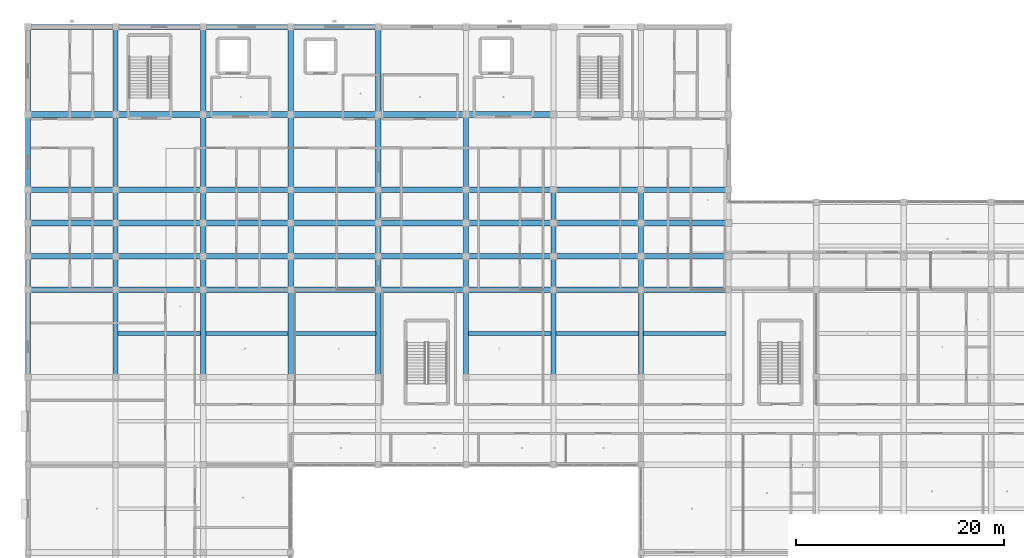
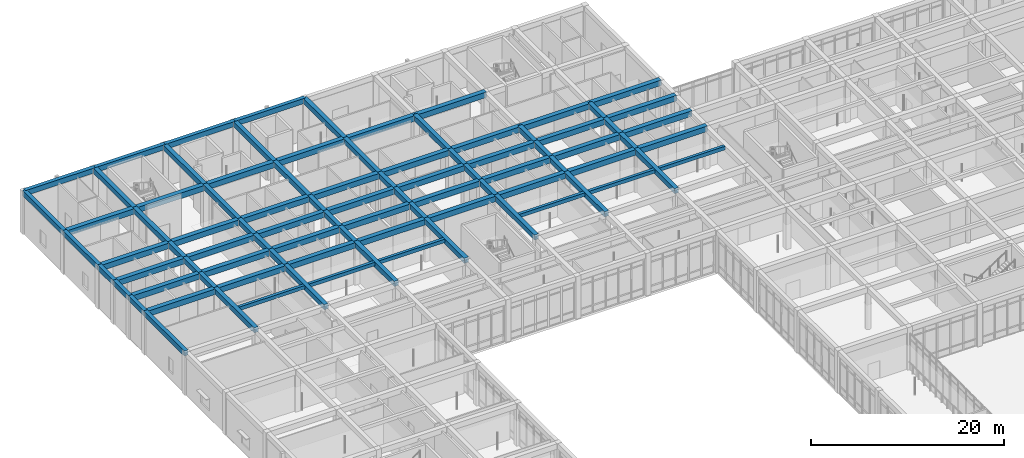
# One storey, part 36 of 157: 91 beams.
"""IFC4 building model written with IfcOpenShell, lengths in metres."""

from ifc_helpers import new_model, si_unit, direction, frame, origin, origin_2d, place, context, subcontext, project, spatial, rectangle, extrude, material, material_profile, profile_set, type_object, element, save


model = new_model("IFC4")

# Units and contexts
model_context = context("Model", 3, precision=1e-05, world=origin(), true_north=direction((0.0, 1.0)))
body_context = subcontext(model_context, "Body", "Model", "MODEL_VIEW")
ifc_project = project(units=[si_unit("LENGTHUNIT", "METRE"), si_unit("AREAUNIT", "SQUARE_METRE"), si_unit("VOLUMEUNIT", "CUBIC_METRE"), si_unit("PLANEANGLEUNIT", "RADIAN"), si_unit("MASSUNIT", "GRAM", prefix="KILO")], contexts=[model_context])

# Site, building, storey
site_placement = place(None, origin())
site = spatial("IfcSite", under=ifc_project, at=site_placement, CompositionType="ELEMENT")
building_placement = place(site_placement, origin())
building = spatial("IfcBuilding", under=site, at=building_placement, Name="Varncliffe General Hospital", CompositionType="ELEMENT")
storey_placement = place(building_placement, frame((0.0, 0.0, 5.39990234375)))
storey = spatial("IfcBuildingStorey", under=building, at=storey_placement, Name="L01", CompositionType="ELEMENT", Elevation=5.39990234375)

# Beams
ifc_material = material(Name="Concrete C35/45 (CSA A23.1 35 MPa)", Category="concrete")
ifc_material_profile_1 = material_profile(ifc_material, rectangle(XDim=0.5, YDim=0.64990234375, at=origin_2d()), Name="RC 500x650")
ifc_profile_set_1 = profile_set([ifc_material_profile_1], Name="Concrete C35/45 (CSA A23.1 35 MPa)")
beam_type_1 = type_object("IfcBeamType", Name="Beam B29 (Int RC 500x650)", PredefinedType="BEAM", material=ifc_profile_set_1)
beam_1_placement = place(storey_placement, frame((8.39990234375, 91.199951171875, 5.0751953125), z_axis=(0.0, 1.0, 0.0), x_axis=(-1.0, 0.0, 0.0)))
element("IfcBeam", 1, at=beam_1_placement, inside=storey, type_object=beam_type_1, Name="L01 Primary Beam B29-286", PredefinedType="BEAM", context=body_context, shape_type="SweptSolid", body=[
    extrude(rectangle(XDim=0.5, YDim=0.64990234375, at=origin_2d()), origin(), (0.0, 0.0, 1.0), 8.400146484375),
])
for number, where, z_axis, x_axis, name in (
    (2, (8.39990234375, 99.60009765625, 5.0751953125), (0.0, 1.0, 0.0), (-1.0, 0.0, 0.0), "L01 Primary Beam B29-287"),
    (3, (8.39990234375, 102.800048828125, 5.0751953125), (0.0, 1.0, 0.0), (-1.0, 0.0, 0.0), "L01 Primary Beam B29-288"),
    (4, (8.39990234375, 106.0, 5.0751953125), (0.0, 1.0, 0.0), (-1.0, 0.0, 0.0), "L01 Primary Beam B29-289"),
):
    element("IfcBeam", number, at=place(storey_placement, frame(where, z_axis=z_axis, x_axis=x_axis)), inside=storey, type_object=beam_type_1, Name=name, PredefinedType="BEAM", context=body_context, shape_type="SweptSolid", body=[
        extrude(rectangle(XDim=0.5, YDim=0.64990234375, at=origin_2d()), origin(), (0.0, 0.0, 1.0), 3.199951171875),
    ])
beam_2_placement = place(storey_placement, frame((8.39990234375, 109.199951171875, 5.0751953125), z_axis=(0.0, 1.0, 0.0), x_axis=(-1.0, 0.0, 0.0)))
element("IfcBeam", 5, at=beam_2_placement, inside=storey, type_object=beam_type_1, Name="L01 Primary Beam B29-290", PredefinedType="BEAM", context=body_context, shape_type="SweptSolid", body=[
    extrude(rectangle(XDim=0.5, YDim=0.64990234375, at=origin_2d()), origin(), (0.0, 0.0, 1.0), 7.199951171875),
])
for number, where, z_axis, x_axis, name in (
    (6, (8.39990234375, 116.39990234375, 5.0751953125), (0.0, 1.0, 0.0), (-1.0, 0.0, 0.0), "L01 Primary Beam B29-291"),
    (7, (16.800048828125, 91.199951171875, 5.0751953125), (0.0, 1.0, 0.0), (-1.0, 0.0, 0.0), "L01 Primary Beam B29-303"),
):
    element("IfcBeam", number, at=place(storey_placement, frame(where, z_axis=z_axis, x_axis=x_axis)), inside=storey, type_object=beam_type_1, Name=name, PredefinedType="BEAM", context=body_context, shape_type="SweptSolid", body=[
        extrude(rectangle(XDim=0.5, YDim=0.64990234375, at=origin_2d()), origin(), (0.0, 0.0, 1.0), 8.400146484375),
    ])
for number, where, z_axis, x_axis, name in (
    (8, (16.800048828125, 99.60009765625, 5.0751953125), (0.0, 1.0, 0.0), (-1.0, 0.0, 0.0), "L01 Primary Beam B29-304"),
    (9, (16.800048828125, 102.800048828125, 5.0751953125), (0.0, 1.0, 0.0), (-1.0, 0.0, 0.0), "L01 Primary Beam B29-305"),
    (10, (16.800048828125, 106.0, 5.0751953125), (0.0, 1.0, 0.0), (-1.0, 0.0, 0.0), "L01 Primary Beam B29-306"),
):
    element("IfcBeam", number, at=place(storey_placement, frame(where, z_axis=z_axis, x_axis=x_axis)), inside=storey, type_object=beam_type_1, Name=name, PredefinedType="BEAM", context=body_context, shape_type="SweptSolid", body=[
        extrude(rectangle(XDim=0.5, YDim=0.64990234375, at=origin_2d()), origin(), (0.0, 0.0, 1.0), 3.199951171875),
    ])
beam_3_placement = place(storey_placement, frame((16.800048828125, 109.199951171875, 5.0751953125), z_axis=(0.0, 1.0, 0.0), x_axis=(-1.0, 0.0, 0.0)))
element("IfcBeam", 11, at=beam_3_placement, inside=storey, type_object=beam_type_1, Name="L01 Primary Beam B29-307", PredefinedType="BEAM", context=body_context, shape_type="SweptSolid", body=[
    extrude(rectangle(XDim=0.5, YDim=0.64990234375, at=origin_2d()), origin(), (0.0, 0.0, 1.0), 7.199951171875),
])
for number, where, z_axis, x_axis, name in (
    (12, (16.800048828125, 116.39990234375, 5.0751953125), (0.0, 1.0, 0.0), (-1.0, 0.0, 0.0), "L01 Primary Beam B29-308"),
    (13, (25.199951171875, 91.199951171875, 5.0751953125), (0.0, 1.0, 0.0), (-1.0, 0.0, 0.0), "L01 Primary Beam B29-320"),
):
    element("IfcBeam", number, at=place(storey_placement, frame(where, z_axis=z_axis, x_axis=x_axis)), inside=storey, type_object=beam_type_1, Name=name, PredefinedType="BEAM", context=body_context, shape_type="SweptSolid", body=[
        extrude(rectangle(XDim=0.5, YDim=0.64990234375, at=origin_2d()), origin(), (0.0, 0.0, 1.0), 8.400146484375),
    ])
for number, where, z_axis, x_axis, name in (
    (14, (25.199951171875, 99.60009765625, 5.0751953125), (0.0, 1.0, 0.0), (-1.0, 0.0, 0.0), "L01 Primary Beam B29-321"),
    (15, (25.199951171875, 102.800048828125, 5.0751953125), (0.0, 1.0, 0.0), (-1.0, 0.0, 0.0), "L01 Primary Beam B29-322"),
    (16, (25.199951171875, 106.0, 5.0751953125), (0.0, 1.0, 0.0), (-1.0, 0.0, 0.0), "L01 Primary Beam B29-323"),
):
    element("IfcBeam", number, at=place(storey_placement, frame(where, z_axis=z_axis, x_axis=x_axis)), inside=storey, type_object=beam_type_1, Name=name, PredefinedType="BEAM", context=body_context, shape_type="SweptSolid", body=[
        extrude(rectangle(XDim=0.5, YDim=0.64990234375, at=origin_2d()), origin(), (0.0, 0.0, 1.0), 3.199951171875),
    ])
beam_4_placement = place(storey_placement, frame((25.199951171875, 109.199951171875, 5.0751953125), z_axis=(0.0, 1.0, 0.0), x_axis=(-1.0, 0.0, 0.0)))
element("IfcBeam", 17, at=beam_4_placement, inside=storey, type_object=beam_type_1, Name="L01 Primary Beam B29-324", PredefinedType="BEAM", context=body_context, shape_type="SweptSolid", body=[
    extrude(rectangle(XDim=0.5, YDim=0.64990234375, at=origin_2d()), origin(), (0.0, 0.0, 1.0), 7.199951171875),
])
for number, where, z_axis, x_axis, name in (
    (18, (25.199951171875, 116.39990234375, 5.0751953125), (0.0, 1.0, 0.0), (-1.0, 0.0, 0.0), "L01 Primary Beam B29-325"),
    (19, (33.60009765625, 91.199951171875, 5.0751953125), (0.0, 1.0, 0.0), (-1.0, 0.0, 0.0), "L01 Primary Beam B29-329"),
):
    element("IfcBeam", number, at=place(storey_placement, frame(where, z_axis=z_axis, x_axis=x_axis)), inside=storey, type_object=beam_type_1, Name=name, PredefinedType="BEAM", context=body_context, shape_type="SweptSolid", body=[
        extrude(rectangle(XDim=0.5, YDim=0.64990234375, at=origin_2d()), origin(), (0.0, 0.0, 1.0), 8.400146484375),
    ])
for number, where, z_axis, x_axis, name in (
    (20, (33.60009765625, 99.60009765625, 5.0751953125), (0.0, 1.0, 0.0), (-1.0, 0.0, 0.0), "L01 Primary Beam B29-330"),
    (21, (33.60009765625, 102.800048828125, 5.0751953125), (0.0, 1.0, 0.0), (-1.0, 0.0, 0.0), "L01 Primary Beam B29-331"),
    (22, (33.60009765625, 106.0, 5.0751953125), (0.0, 1.0, 0.0), (-1.0, 0.0, 0.0), "L01 Primary Beam B29-332"),
):
    element("IfcBeam", number, at=place(storey_placement, frame(where, z_axis=z_axis, x_axis=x_axis)), inside=storey, type_object=beam_type_1, Name=name, PredefinedType="BEAM", context=body_context, shape_type="SweptSolid", body=[
        extrude(rectangle(XDim=0.5, YDim=0.64990234375, at=origin_2d()), origin(), (0.0, 0.0, 1.0), 3.199951171875),
    ])
beam_5_placement = place(storey_placement, frame((33.60009765625, 109.199951171875, 5.0751953125), z_axis=(0.0, 1.0, 0.0), x_axis=(-1.0, 0.0, 0.0)))
element("IfcBeam", 23, at=beam_5_placement, inside=storey, type_object=beam_type_1, Name="L01 Primary Beam B29-333", PredefinedType="BEAM", context=body_context, shape_type="SweptSolid", body=[
    extrude(rectangle(XDim=0.5, YDim=0.64990234375, at=origin_2d()), origin(), (0.0, 0.0, 1.0), 7.199951171875),
])
for number, where, z_axis, x_axis, name in (
    (24, (33.60009765625, 116.39990234375, 5.0751953125), (0.0, 1.0, 0.0), (-1.0, 0.0, 0.0), "L01 Primary Beam B29-334"),
    (25, (42.0, 91.199951171875, 5.0751953125), (0.0, 1.0, 0.0), (-1.0, 0.0, 0.0), "L01 Primary Beam B29-338"),
):
    element("IfcBeam", number, at=place(storey_placement, frame(where, z_axis=z_axis, x_axis=x_axis)), inside=storey, type_object=beam_type_1, Name=name, PredefinedType="BEAM", context=body_context, shape_type="SweptSolid", body=[
        extrude(rectangle(XDim=0.5, YDim=0.64990234375, at=origin_2d()), origin(), (0.0, 0.0, 1.0), 8.400146484375),
    ])
for number, where, z_axis, x_axis, name in (
    (26, (42.0, 99.60009765625, 5.0751953125), (0.0, 1.0, 0.0), (-1.0, 0.0, 0.0), "L01 Primary Beam B29-339"),
    (27, (42.0, 102.800048828125, 5.0751953125), (0.0, 1.0, 0.0), (-1.0, 0.0, 0.0), "L01 Primary Beam B29-340"),
    (28, (42.0, 106.0, 5.0751953125), (0.0, 1.0, 0.0), (-1.0, 0.0, 0.0), "L01 Primary Beam B29-341"),
):
    element("IfcBeam", number, at=place(storey_placement, frame(where, z_axis=z_axis, x_axis=x_axis)), inside=storey, type_object=beam_type_1, Name=name, PredefinedType="BEAM", context=body_context, shape_type="SweptSolid", body=[
        extrude(rectangle(XDim=0.5, YDim=0.64990234375, at=origin_2d()), origin(), (0.0, 0.0, 1.0), 3.199951171875),
    ])
beam_6_placement = place(storey_placement, frame((42.0, 109.199951171875, 5.0751953125), z_axis=(0.0, 1.0, 0.0), x_axis=(-1.0, 0.0, 0.0)))
element("IfcBeam", 29, at=beam_6_placement, inside=storey, type_object=beam_type_1, Name="L01 Primary Beam B29-342", PredefinedType="BEAM", context=body_context, shape_type="SweptSolid", body=[
    extrude(rectangle(XDim=0.5, YDim=0.64990234375, at=origin_2d()), origin(), (0.0, 0.0, 1.0), 7.199951171875),
])
beam_7_placement = place(storey_placement, frame((50.39990234375, 91.199951171875, 5.0751953125), z_axis=(0.0, 1.0, 0.0), x_axis=(-1.0, 0.0, 0.0)))
element("IfcBeam", 30, at=beam_7_placement, inside=storey, type_object=beam_type_1, Name="L01 Primary Beam B29-347", PredefinedType="BEAM", context=body_context, shape_type="SweptSolid", body=[
    extrude(rectangle(XDim=0.5, YDim=0.64990234375, at=origin_2d()), origin(), (0.0, 0.0, 1.0), 8.400146484375),
])
for number, where, z_axis, x_axis, name in (
    (31, (50.39990234375, 99.60009765625, 5.0751953125), (0.0, 1.0, 0.0), (-1.0, 0.0, 0.0), "L01 Primary Beam B29-348"),
    (32, (50.39990234375, 102.800048828125, 5.0751953125), (0.0, 1.0, 0.0), (-1.0, 0.0, 0.0), "L01 Primary Beam B29-349"),
    (33, (50.39990234375, 106.0, 5.0751953125), (0.0, 1.0, 0.0), (-1.0, 0.0, 0.0), "L01 Primary Beam B29-350"),
):
    element("IfcBeam", number, at=place(storey_placement, frame(where, z_axis=z_axis, x_axis=x_axis)), inside=storey, type_object=beam_type_1, Name=name, PredefinedType="BEAM", context=body_context, shape_type="SweptSolid", body=[
        extrude(rectangle(XDim=0.5, YDim=0.64990234375, at=origin_2d()), origin(), (0.0, 0.0, 1.0), 3.199951171875),
    ])
beam_8_placement = place(storey_placement, frame((58.800048828125, 91.199951171875, 5.0751953125), z_axis=(0.0, 1.0, 0.0), x_axis=(-1.0, 0.0, 0.0)))
element("IfcBeam", 34, at=beam_8_placement, inside=storey, type_object=beam_type_1, Name="L01 Primary Beam B29-363", PredefinedType="BEAM", context=body_context, shape_type="SweptSolid", body=[
    extrude(rectangle(XDim=0.5, YDim=0.64990234375, at=origin_2d()), origin(), (0.0, 0.0, 1.0), 8.400146484375),
])
for number, where, z_axis, x_axis, name in (
    (35, (58.800048828125, 99.60009765625, 5.0751953125), (0.0, 1.0, 0.0), (-1.0, 0.0, 0.0), "L01 Primary Beam B29-364"),
    (36, (58.800048828125, 102.800048828125, 5.0751953125), (0.0, 1.0, 0.0), (-1.0, 0.0, 0.0), "L01 Primary Beam B29-365"),
    (37, (58.800048828125, 106.0, 5.0751953125), (0.0, 1.0, 0.0), (-1.0, 0.0, 0.0), "L01 Primary Beam B29-366"),
):
    element("IfcBeam", number, at=place(storey_placement, frame(where, z_axis=z_axis, x_axis=x_axis)), inside=storey, type_object=beam_type_1, Name=name, PredefinedType="BEAM", context=body_context, shape_type="SweptSolid", body=[
        extrude(rectangle(XDim=0.5, YDim=0.64990234375, at=origin_2d()), origin(), (0.0, 0.0, 1.0), 3.199951171875),
    ])
ifc_material_profile_2 = material_profile(ifc_material, rectangle(XDim=0.550048828125, YDim=0.699951171875, at=origin_2d()), Name="RC 550x700")
ifc_profile_set_2 = profile_set([ifc_material_profile_2], Name="Concrete C35/45 (CSA A23.1 35 MPa)")
beam_type_2 = type_object("IfcBeamType", Name="Beam B35 (Int RC 550x700)", PredefinedType="BEAM", material=ifc_profile_set_2)
beam_9_placement = place(storey_placement, frame((0.0, 99.60009765625, 5.050048828125), z_axis=(1.0, 0.0, 0.0), x_axis=(0.0, 1.0, 0.0)))
element("IfcBeam", 38, at=beam_9_placement, inside=storey, type_object=beam_type_2, Name="L01 Primary Beam B35-150", PredefinedType="BEAM", context=body_context, shape_type="SweptSolid", body=[
    extrude(rectangle(XDim=0.550048828125, YDim=0.699951171875, at=origin_2d()), origin(), (0.0, 0.0, 1.0), 8.39990234375),
])
beam_10_placement = place(storey_placement, frame((8.39990234375, 99.60009765625, 5.050048828125), z_axis=(1.0, 0.0, 0.0), x_axis=(0.0, 1.0, 0.0)))
element("IfcBeam", 39, at=beam_10_placement, inside=storey, type_object=beam_type_2, Name="L01 Primary Beam B35-151", PredefinedType="BEAM", context=body_context, shape_type="SweptSolid", body=[
    extrude(rectangle(XDim=0.550048828125, YDim=0.699951171875, at=origin_2d()), origin(), (0.0, 0.0, 1.0), 8.400146484375),
])
beam_11_placement = place(storey_placement, frame((16.800048828125, 99.60009765625, 5.050048828125), z_axis=(1.0, 0.0, 0.0), x_axis=(0.0, 1.0, 0.0)))
element("IfcBeam", 40, at=beam_11_placement, inside=storey, type_object=beam_type_2, Name="L01 Primary Beam B35-152", PredefinedType="BEAM", context=body_context, shape_type="SweptSolid", body=[
    extrude(rectangle(XDim=0.550048828125, YDim=0.699951171875, at=origin_2d()), origin(), (0.0, 0.0, 1.0), 8.39990234375),
])
beam_12_placement = place(storey_placement, frame((25.199951171875, 99.60009765625, 5.050048828125), z_axis=(1.0, 0.0, 0.0), x_axis=(0.0, 1.0, 0.0)))
element("IfcBeam", 41, at=beam_12_placement, inside=storey, type_object=beam_type_2, Name="L01 Primary Beam B35-153", PredefinedType="BEAM", context=body_context, shape_type="SweptSolid", body=[
    extrude(rectangle(XDim=0.550048828125, YDim=0.699951171875, at=origin_2d()), origin(), (0.0, 0.0, 1.0), 8.400146484375),
])
for number, where, z_axis, x_axis, name in (
    (42, (33.60009765625, 99.60009765625, 5.050048828125), (1.0, 0.0, 0.0), (0.0, 1.0, 0.0), "L01 Primary Beam B35-154"),
    (43, (42.0, 99.60009765625, 5.050048828125), (1.0, 0.0, 0.0), (0.0, 1.0, 0.0), "L01 Primary Beam B35-155"),
):
    element("IfcBeam", number, at=place(storey_placement, frame(where, z_axis=z_axis, x_axis=x_axis)), inside=storey, type_object=beam_type_2, Name=name, PredefinedType="BEAM", context=body_context, shape_type="SweptSolid", body=[
        extrude(rectangle(XDim=0.550048828125, YDim=0.699951171875, at=origin_2d()), origin(), (0.0, 0.0, 1.0), 8.39990234375),
    ])
beam_13_placement = place(storey_placement, frame((50.39990234375, 99.60009765625, 5.050048828125), z_axis=(1.0, 0.0, 0.0), x_axis=(0.0, 1.0, 0.0)))
element("IfcBeam", 44, at=beam_13_placement, inside=storey, type_object=beam_type_2, Name="L01 Primary Beam B35-156", PredefinedType="BEAM", context=body_context, shape_type="SweptSolid", body=[
    extrude(rectangle(XDim=0.550048828125, YDim=0.699951171875, at=origin_2d()), origin(), (0.0, 0.0, 1.0), 8.400146484375),
])
for number, where, z_axis, x_axis, name in (
    (45, (58.800048828125, 99.60009765625, 5.050048828125), (1.0, 0.0, 0.0), (0.0, 1.0, 0.0), "L01 Primary Beam B35-157"),
    (46, (0.0, 102.800048828125, 5.050048828125), (1.0, 0.0, 0.0), (0.0, 1.0, 0.0), "L01 Primary Beam B35-171"),
):
    element("IfcBeam", number, at=place(storey_placement, frame(where, z_axis=z_axis, x_axis=x_axis)), inside=storey, type_object=beam_type_2, Name=name, PredefinedType="BEAM", context=body_context, shape_type="SweptSolid", body=[
        extrude(rectangle(XDim=0.550048828125, YDim=0.699951171875, at=origin_2d()), origin(), (0.0, 0.0, 1.0), 8.39990234375),
    ])
beam_14_placement = place(storey_placement, frame((8.39990234375, 102.800048828125, 5.050048828125), z_axis=(1.0, 0.0, 0.0), x_axis=(0.0, 1.0, 0.0)))
element("IfcBeam", 47, at=beam_14_placement, inside=storey, type_object=beam_type_2, Name="L01 Primary Beam B35-172", PredefinedType="BEAM", context=body_context, shape_type="SweptSolid", body=[
    extrude(rectangle(XDim=0.550048828125, YDim=0.699951171875, at=origin_2d()), origin(), (0.0, 0.0, 1.0), 8.400146484375),
])
beam_15_placement = place(storey_placement, frame((16.800048828125, 102.800048828125, 5.050048828125), z_axis=(1.0, 0.0, 0.0), x_axis=(0.0, 1.0, 0.0)))
element("IfcBeam", 48, at=beam_15_placement, inside=storey, type_object=beam_type_2, Name="L01 Primary Beam B35-173", PredefinedType="BEAM", context=body_context, shape_type="SweptSolid", body=[
    extrude(rectangle(XDim=0.550048828125, YDim=0.699951171875, at=origin_2d()), origin(), (0.0, 0.0, 1.0), 8.39990234375),
])
beam_16_placement = place(storey_placement, frame((25.199951171875, 102.800048828125, 5.050048828125), z_axis=(1.0, 0.0, 0.0), x_axis=(0.0, 1.0, 0.0)))
element("IfcBeam", 49, at=beam_16_placement, inside=storey, type_object=beam_type_2, Name="L01 Primary Beam B35-174", PredefinedType="BEAM", context=body_context, shape_type="SweptSolid", body=[
    extrude(rectangle(XDim=0.550048828125, YDim=0.699951171875, at=origin_2d()), origin(), (0.0, 0.0, 1.0), 8.400146484375),
])
for number, where, z_axis, x_axis, name in (
    (50, (33.60009765625, 102.800048828125, 5.050048828125), (1.0, 0.0, 0.0), (0.0, 1.0, 0.0), "L01 Primary Beam B35-175"),
    (51, (42.0, 102.800048828125, 5.050048828125), (1.0, 0.0, 0.0), (0.0, 1.0, 0.0), "L01 Primary Beam B35-176"),
):
    element("IfcBeam", number, at=place(storey_placement, frame(where, z_axis=z_axis, x_axis=x_axis)), inside=storey, type_object=beam_type_2, Name=name, PredefinedType="BEAM", context=body_context, shape_type="SweptSolid", body=[
        extrude(rectangle(XDim=0.550048828125, YDim=0.699951171875, at=origin_2d()), origin(), (0.0, 0.0, 1.0), 8.39990234375),
    ])
beam_17_placement = place(storey_placement, frame((50.39990234375, 102.800048828125, 5.050048828125), z_axis=(1.0, 0.0, 0.0), x_axis=(0.0, 1.0, 0.0)))
element("IfcBeam", 52, at=beam_17_placement, inside=storey, type_object=beam_type_2, Name="L01 Primary Beam B35-177", PredefinedType="BEAM", context=body_context, shape_type="SweptSolid", body=[
    extrude(rectangle(XDim=0.550048828125, YDim=0.699951171875, at=origin_2d()), origin(), (0.0, 0.0, 1.0), 8.400146484375),
])
for number, where, z_axis, x_axis, name in (
    (53, (58.800048828125, 102.800048828125, 5.050048828125), (1.0, 0.0, 0.0), (0.0, 1.0, 0.0), "L01 Primary Beam B35-178"),
    (54, (0.0, 106.0, 5.050048828125), (1.0, 0.0, 0.0), (0.0, 1.0, 0.0), "L01 Primary Beam B35-192"),
):
    element("IfcBeam", number, at=place(storey_placement, frame(where, z_axis=z_axis, x_axis=x_axis)), inside=storey, type_object=beam_type_2, Name=name, PredefinedType="BEAM", context=body_context, shape_type="SweptSolid", body=[
        extrude(rectangle(XDim=0.550048828125, YDim=0.699951171875, at=origin_2d()), origin(), (0.0, 0.0, 1.0), 8.39990234375),
    ])
beam_18_placement = place(storey_placement, frame((8.39990234375, 106.0, 5.050048828125), z_axis=(1.0, 0.0, 0.0), x_axis=(0.0, 1.0, 0.0)))
element("IfcBeam", 55, at=beam_18_placement, inside=storey, type_object=beam_type_2, Name="L01 Primary Beam B35-193", PredefinedType="BEAM", context=body_context, shape_type="SweptSolid", body=[
    extrude(rectangle(XDim=0.550048828125, YDim=0.699951171875, at=origin_2d()), origin(), (0.0, 0.0, 1.0), 8.400146484375),
])
beam_19_placement = place(storey_placement, frame((16.800048828125, 106.0, 5.050048828125), z_axis=(1.0, 0.0, 0.0), x_axis=(0.0, 1.0, 0.0)))
element("IfcBeam", 56, at=beam_19_placement, inside=storey, type_object=beam_type_2, Name="L01 Primary Beam B35-194", PredefinedType="BEAM", context=body_context, shape_type="SweptSolid", body=[
    extrude(rectangle(XDim=0.550048828125, YDim=0.699951171875, at=origin_2d()), origin(), (0.0, 0.0, 1.0), 8.39990234375),
])
beam_20_placement = place(storey_placement, frame((25.199951171875, 106.0, 5.050048828125), z_axis=(1.0, 0.0, 0.0), x_axis=(0.0, 1.0, 0.0)))
element("IfcBeam", 57, at=beam_20_placement, inside=storey, type_object=beam_type_2, Name="L01 Primary Beam B35-195", PredefinedType="BEAM", context=body_context, shape_type="SweptSolid", body=[
    extrude(rectangle(XDim=0.550048828125, YDim=0.699951171875, at=origin_2d()), origin(), (0.0, 0.0, 1.0), 8.400146484375),
])
for number, where, z_axis, x_axis, name in (
    (58, (33.60009765625, 106.0, 5.050048828125), (1.0, 0.0, 0.0), (0.0, 1.0, 0.0), "L01 Primary Beam B35-196"),
    (59, (42.0, 106.0, 5.050048828125), (1.0, 0.0, 0.0), (0.0, 1.0, 0.0), "L01 Primary Beam B35-197"),
):
    element("IfcBeam", number, at=place(storey_placement, frame(where, z_axis=z_axis, x_axis=x_axis)), inside=storey, type_object=beam_type_2, Name=name, PredefinedType="BEAM", context=body_context, shape_type="SweptSolid", body=[
        extrude(rectangle(XDim=0.550048828125, YDim=0.699951171875, at=origin_2d()), origin(), (0.0, 0.0, 1.0), 8.39990234375),
    ])
beam_21_placement = place(storey_placement, frame((50.39990234375, 106.0, 5.050048828125), z_axis=(1.0, 0.0, 0.0), x_axis=(0.0, 1.0, 0.0)))
element("IfcBeam", 60, at=beam_21_placement, inside=storey, type_object=beam_type_2, Name="L01 Primary Beam B35-198", PredefinedType="BEAM", context=body_context, shape_type="SweptSolid", body=[
    extrude(rectangle(XDim=0.550048828125, YDim=0.699951171875, at=origin_2d()), origin(), (0.0, 0.0, 1.0), 8.400146484375),
])
for number, where, z_axis, x_axis, name in (
    (61, (58.800048828125, 106.0, 5.050048828125), (1.0, 0.0, 0.0), (0.0, 1.0, 0.0), "L01 Primary Beam B35-199"),
    (62, (0.0, 109.199951171875, 5.050048828125), (1.0, 0.0, 0.0), (0.0, 1.0, 0.0), "L01 Primary Beam B35-211"),
):
    element("IfcBeam", number, at=place(storey_placement, frame(where, z_axis=z_axis, x_axis=x_axis)), inside=storey, type_object=beam_type_2, Name=name, PredefinedType="BEAM", context=body_context, shape_type="SweptSolid", body=[
        extrude(rectangle(XDim=0.550048828125, YDim=0.699951171875, at=origin_2d()), origin(), (0.0, 0.0, 1.0), 8.39990234375),
    ])
beam_22_placement = place(storey_placement, frame((8.39990234375, 109.199951171875, 5.050048828125), z_axis=(1.0, 0.0, 0.0), x_axis=(0.0, 1.0, 0.0)))
element("IfcBeam", 63, at=beam_22_placement, inside=storey, type_object=beam_type_2, Name="L01 Primary Beam B35-212", PredefinedType="BEAM", context=body_context, shape_type="SweptSolid", body=[
    extrude(rectangle(XDim=0.550048828125, YDim=0.699951171875, at=origin_2d()), origin(), (0.0, 0.0, 1.0), 8.400146484375),
])
beam_23_placement = place(storey_placement, frame((16.800048828125, 109.199951171875, 5.050048828125), z_axis=(1.0, 0.0, 0.0), x_axis=(0.0, 1.0, 0.0)))
element("IfcBeam", 64, at=beam_23_placement, inside=storey, type_object=beam_type_2, Name="L01 Primary Beam B35-213", PredefinedType="BEAM", context=body_context, shape_type="SweptSolid", body=[
    extrude(rectangle(XDim=0.550048828125, YDim=0.699951171875, at=origin_2d()), origin(), (0.0, 0.0, 1.0), 8.39990234375),
])
beam_24_placement = place(storey_placement, frame((25.199951171875, 109.199951171875, 5.050048828125), z_axis=(1.0, 0.0, 0.0), x_axis=(0.0, 1.0, 0.0)))
element("IfcBeam", 65, at=beam_24_placement, inside=storey, type_object=beam_type_2, Name="L01 Primary Beam B35-214", PredefinedType="BEAM", context=body_context, shape_type="SweptSolid", body=[
    extrude(rectangle(XDim=0.550048828125, YDim=0.699951171875, at=origin_2d()), origin(), (0.0, 0.0, 1.0), 8.400146484375),
])
for number, where, z_axis, x_axis, name in (
    (66, (33.60009765625, 109.199951171875, 5.050048828125), (1.0, 0.0, 0.0), (0.0, 1.0, 0.0), "L01 Primary Beam B35-215"),
    (67, (42.0, 109.199951171875, 5.050048828125), (1.0, 0.0, 0.0), (0.0, 1.0, 0.0), "L01 Primary Beam B35-216"),
):
    element("IfcBeam", number, at=place(storey_placement, frame(where, z_axis=z_axis, x_axis=x_axis)), inside=storey, type_object=beam_type_2, Name=name, PredefinedType="BEAM", context=body_context, shape_type="SweptSolid", body=[
        extrude(rectangle(XDim=0.550048828125, YDim=0.699951171875, at=origin_2d()), origin(), (0.0, 0.0, 1.0), 8.39990234375),
    ])
beam_25_placement = place(storey_placement, frame((50.39990234375, 109.199951171875, 5.050048828125), z_axis=(1.0, 0.0, 0.0), x_axis=(0.0, 1.0, 0.0)))
element("IfcBeam", 68, at=beam_25_placement, inside=storey, type_object=beam_type_2, Name="L01 Primary Beam B35-217", PredefinedType="BEAM", context=body_context, shape_type="SweptSolid", body=[
    extrude(rectangle(XDim=0.550048828125, YDim=0.699951171875, at=origin_2d()), origin(), (0.0, 0.0, 1.0), 8.400146484375),
])
for number, where, z_axis, x_axis, name in (
    (69, (58.800048828125, 109.199951171875, 5.050048828125), (1.0, 0.0, 0.0), (0.0, 1.0, 0.0), "L01 Primary Beam B35-218"),
    (70, (0.0, 116.39990234375, 5.050048828125), (1.0, 0.0, 0.0), (0.0, 1.0, 0.0), "L01 Primary Beam B35-227"),
):
    element("IfcBeam", number, at=place(storey_placement, frame(where, z_axis=z_axis, x_axis=x_axis)), inside=storey, type_object=beam_type_2, Name=name, PredefinedType="BEAM", context=body_context, shape_type="SweptSolid", body=[
        extrude(rectangle(XDim=0.550048828125, YDim=0.699951171875, at=origin_2d()), origin(), (0.0, 0.0, 1.0), 8.39990234375),
    ])
beam_26_placement = place(storey_placement, frame((8.39990234375, 116.39990234375, 5.050048828125), z_axis=(1.0, 0.0, 0.0), x_axis=(0.0, 1.0, 0.0)))
element("IfcBeam", 71, at=beam_26_placement, inside=storey, type_object=beam_type_2, Name="L01 Primary Beam B35-228", PredefinedType="BEAM", context=body_context, shape_type="SweptSolid", body=[
    extrude(rectangle(XDim=0.550048828125, YDim=0.699951171875, at=origin_2d()), origin(), (0.0, 0.0, 1.0), 8.400146484375),
])
beam_27_placement = place(storey_placement, frame((16.800048828125, 116.39990234375, 5.050048828125), z_axis=(1.0, 0.0, 0.0), x_axis=(0.0, 1.0, 0.0)))
element("IfcBeam", 72, at=beam_27_placement, inside=storey, type_object=beam_type_2, Name="L01 Primary Beam B35-229", PredefinedType="BEAM", context=body_context, shape_type="SweptSolid", body=[
    extrude(rectangle(XDim=0.550048828125, YDim=0.699951171875, at=origin_2d()), origin(), (0.0, 0.0, 1.0), 8.39990234375),
])
beam_28_placement = place(storey_placement, frame((25.199951171875, 116.39990234375, 5.050048828125), z_axis=(1.0, 0.0, 0.0), x_axis=(0.0, 1.0, 0.0)))
element("IfcBeam", 73, at=beam_28_placement, inside=storey, type_object=beam_type_2, Name="L01 Primary Beam B35-230", PredefinedType="BEAM", context=body_context, shape_type="SweptSolid", body=[
    extrude(rectangle(XDim=0.550048828125, YDim=0.699951171875, at=origin_2d()), origin(), (0.0, 0.0, 1.0), 8.400146484375),
])
for number, where, z_axis, x_axis, name in (
    (74, (33.60009765625, 116.39990234375, 5.050048828125), (1.0, 0.0, 0.0), (0.0, 1.0, 0.0), "L01 Primary Beam B35-231"),
    (75, (42.0, 116.39990234375, 5.050048828125), (1.0, 0.0, 0.0), (0.0, 1.0, 0.0), "L01 Primary Beam B35-232"),
):
    element("IfcBeam", number, at=place(storey_placement, frame(where, z_axis=z_axis, x_axis=x_axis)), inside=storey, type_object=beam_type_2, Name=name, PredefinedType="BEAM", context=body_context, shape_type="SweptSolid", body=[
        extrude(rectangle(XDim=0.550048828125, YDim=0.699951171875, at=origin_2d()), origin(), (0.0, 0.0, 1.0), 8.39990234375),
    ])
ifc_material_profile_3 = material_profile(ifc_material, rectangle(XDim=0.35009765625, YDim=0.449951171875, at=origin_2d()), Name="RC 350x450")
ifc_profile_set_3 = profile_set([ifc_material_profile_3], Name="Concrete C35/45 (CSA A23.1 35 MPa)")
beam_type_3 = type_object("IfcBeamType", Name="Joist J55 (Int RC 350x450)", PredefinedType="JOIST", material=ifc_profile_set_3)
beam_29_placement = place(storey_placement, frame((8.64794921875, 95.39990234375, 5.175048828125), z_axis=(1.0, 0.0, 0.0), x_axis=(0.0, 1.0, 0.0)))
element("IfcBeam", 76, at=beam_29_placement, inside=storey, type_object=beam_type_3, Name="L01 Secondary Floor Rib J55-10", PredefinedType="JOIST", context=body_context, shape_type="SweptSolid", body=[
    extrude(rectangle(XDim=0.35009765625, YDim=0.449951171875, at=origin_2d()), origin(), (0.0, 0.0, 1.0), 7.904052734375),
])
beam_30_placement = place(storey_placement, frame((17.048095703125, 95.39990234375, 5.175048828125), z_axis=(1.0, 0.0, 0.0), x_axis=(0.0, 1.0, 0.0)))
element("IfcBeam", 77, at=beam_30_placement, inside=storey, type_object=beam_type_3, Name="L01 Secondary Floor Rib J55-14", PredefinedType="JOIST", context=body_context, shape_type="SweptSolid", body=[
    extrude(rectangle(XDim=0.35009765625, YDim=0.449951171875, at=origin_2d()), origin(), (0.0, 0.0, 1.0), 7.90380859375),
])
for number, where, z_axis, x_axis, name in (
    (78, (25.447998046875, 95.39990234375, 5.175048828125), (1.0, 0.0, 0.0), (0.0, 1.0, 0.0), "L01 Secondary Floor Rib J55-18"),
    (79, (42.248046875, 95.39990234375, 5.175048828125), (1.0, 0.0, 0.0), (0.0, 1.0, 0.0), "L01 Secondary Floor Rib J55-25"),
    (80, (50.64794921875, 95.39990234375, 5.175048828125), (1.0, 0.0, 0.0), (0.0, 1.0, 0.0), "L01 Secondary Floor Rib J55-29"),
):
    element("IfcBeam", number, at=place(storey_placement, frame(where, z_axis=z_axis, x_axis=x_axis)), inside=storey, type_object=beam_type_3, Name=name, PredefinedType="JOIST", context=body_context, shape_type="SweptSolid", body=[
        extrude(rectangle(XDim=0.35009765625, YDim=0.449951171875, at=origin_2d()), origin(), (0.0, 0.0, 1.0), 7.904052734375),
    ])
beam_31_placement = place(storey_placement, frame((59.048095703125, 95.39990234375, 5.175048828125), z_axis=(1.0, 0.0, 0.0), x_axis=(0.0, 1.0, 0.0)))
element("IfcBeam", 81, at=beam_31_placement, inside=storey, type_object=beam_type_3, Name="L01 Secondary Floor Rib J55-31", PredefinedType="JOIST", context=body_context, shape_type="SweptSolid", body=[
    extrude(rectangle(XDim=0.35009765625, YDim=0.449951171875, at=origin_2d()), origin(), (0.0, 0.0, 1.0), 7.90380859375),
])
ifc_material_profile_4 = material_profile(ifc_material, rectangle(XDim=0.449951171875, YDim=0.64990234375, at=origin_2d()), Name="RC 450x650")
ifc_profile_set_4 = profile_set([ifc_material_profile_4], Name="Concrete C35/45 (CSA A23.1 35 MPa)")
beam_type_4 = type_object("IfcBeamType", Name="Spandrel SP38 (Ext RC 450x650B)", PredefinedType="SPANDREL", material=ifc_profile_set_4)
beam_32_placement = place(storey_placement, frame((0.0, 124.800048828125, 5.0751953125), z_axis=(1.0, 0.0, 0.0), x_axis=(0.0, 1.0, 0.0)))
element("IfcBeam", 82, at=beam_32_placement, inside=storey, type_object=beam_type_4, Name="L01 Spandrel Beam SP38-243", PredefinedType="SPANDREL", context=body_context, shape_type="SweptSolid", body=[
    extrude(rectangle(XDim=0.449951171875, YDim=0.64990234375, at=origin_2d()), origin(), (0.0, 0.0, 1.0), 8.39990234375),
])
beam_33_placement = place(storey_placement, frame((8.39990234375, 124.800048828125, 5.0751953125), z_axis=(1.0, 0.0, 0.0), x_axis=(0.0, 1.0, 0.0)))
element("IfcBeam", 83, at=beam_33_placement, inside=storey, type_object=beam_type_4, Name="L01 Spandrel Beam SP38-244", PredefinedType="SPANDREL", context=body_context, shape_type="SweptSolid", body=[
    extrude(rectangle(XDim=0.449951171875, YDim=0.64990234375, at=origin_2d()), origin(), (0.0, 0.0, 1.0), 8.400146484375),
])
beam_34_placement = place(storey_placement, frame((16.800048828125, 124.800048828125, 5.0751953125), z_axis=(1.0, 0.0, 0.0), x_axis=(0.0, 1.0, 0.0)))
element("IfcBeam", 84, at=beam_34_placement, inside=storey, type_object=beam_type_4, Name="L01 Spandrel Beam SP38-245", PredefinedType="SPANDREL", context=body_context, shape_type="SweptSolid", body=[
    extrude(rectangle(XDim=0.449951171875, YDim=0.64990234375, at=origin_2d()), origin(), (0.0, 0.0, 1.0), 8.39990234375),
])
for number, where, z_axis, x_axis, name in (
    (85, (25.199951171875, 124.800048828125, 5.0751953125), (1.0, 0.0, 0.0), (0.0, 1.0, 0.0), "L01 Spandrel Beam SP38-246"),
    (86, (0.0, 91.199951171875, 5.0751953125), (0.0, 1.0, 0.0), (-1.0, 0.0, 0.0), "L01 Spandrel Beam SP38-270"),
):
    element("IfcBeam", number, at=place(storey_placement, frame(where, z_axis=z_axis, x_axis=x_axis)), inside=storey, type_object=beam_type_4, Name=name, PredefinedType="SPANDREL", context=body_context, shape_type="SweptSolid", body=[
        extrude(rectangle(XDim=0.449951171875, YDim=0.64990234375, at=origin_2d()), origin(), (0.0, 0.0, 1.0), 8.400146484375),
    ])
for number, where, z_axis, x_axis, name in (
    (87, (0.0, 99.60009765625, 5.0751953125), (0.0, 1.0, 0.0), (-1.0, 0.0, 0.0), "L01 Spandrel Beam SP38-271"),
    (88, (0.0, 102.800048828125, 5.0751953125), (0.0, 1.0, 0.0), (-1.0, 0.0, 0.0), "L01 Spandrel Beam SP38-272"),
    (89, (0.0, 106.0, 5.0751953125), (0.0, 1.0, 0.0), (-1.0, 0.0, 0.0), "L01 Spandrel Beam SP38-273"),
):
    element("IfcBeam", number, at=place(storey_placement, frame(where, z_axis=z_axis, x_axis=x_axis)), inside=storey, type_object=beam_type_4, Name=name, PredefinedType="SPANDREL", context=body_context, shape_type="SweptSolid", body=[
        extrude(rectangle(XDim=0.449951171875, YDim=0.64990234375, at=origin_2d()), origin(), (0.0, 0.0, 1.0), 3.199951171875),
    ])
beam_35_placement = place(storey_placement, frame((0.0, 109.199951171875, 5.0751953125), z_axis=(0.0, 1.0, 0.0), x_axis=(-1.0, 0.0, 0.0)))
element("IfcBeam", 90, at=beam_35_placement, inside=storey, type_object=beam_type_4, Name="L01 Spandrel Beam SP38-274", PredefinedType="SPANDREL", context=body_context, shape_type="SweptSolid", body=[
    extrude(rectangle(XDim=0.449951171875, YDim=0.64990234375, at=origin_2d()), origin(), (0.0, 0.0, 1.0), 7.199951171875),
])
beam_36_placement = place(storey_placement, frame((0.0, 116.39990234375, 5.0751953125), z_axis=(0.0, 1.0, 0.0), x_axis=(-1.0, 0.0, 0.0)))
element("IfcBeam", 91, at=beam_36_placement, inside=storey, type_object=beam_type_4, Name="L01 Spandrel Beam SP38-275", PredefinedType="SPANDREL", context=body_context, shape_type="SweptSolid", body=[
    extrude(rectangle(XDim=0.449951171875, YDim=0.64990234375, at=origin_2d()), origin(), (0.0, 0.0, 1.0), 8.400146484375),
])

save(model, "model.ifc")
